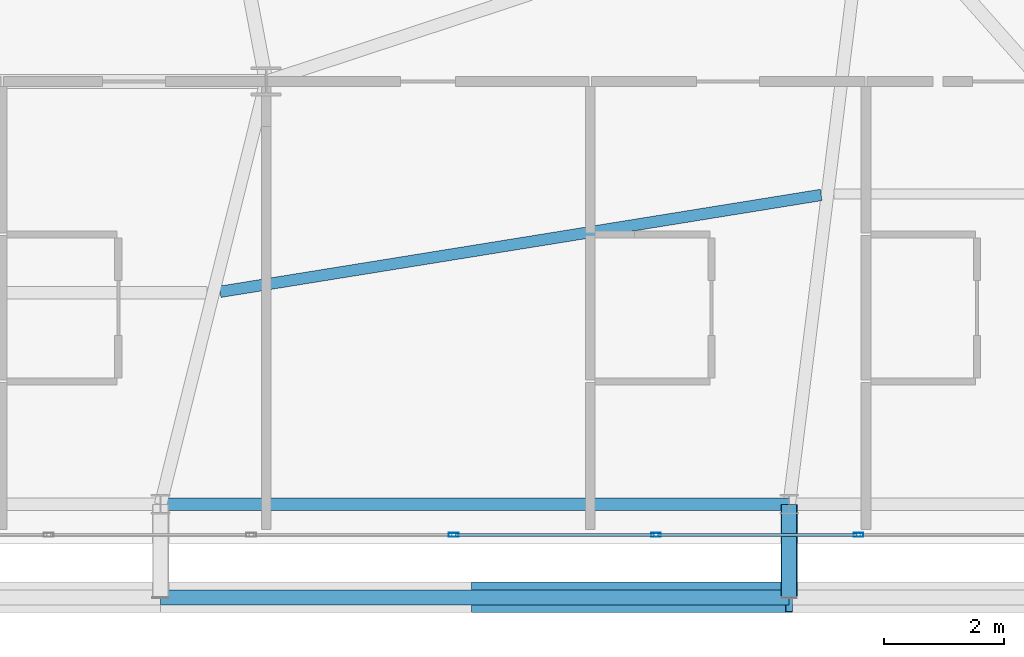
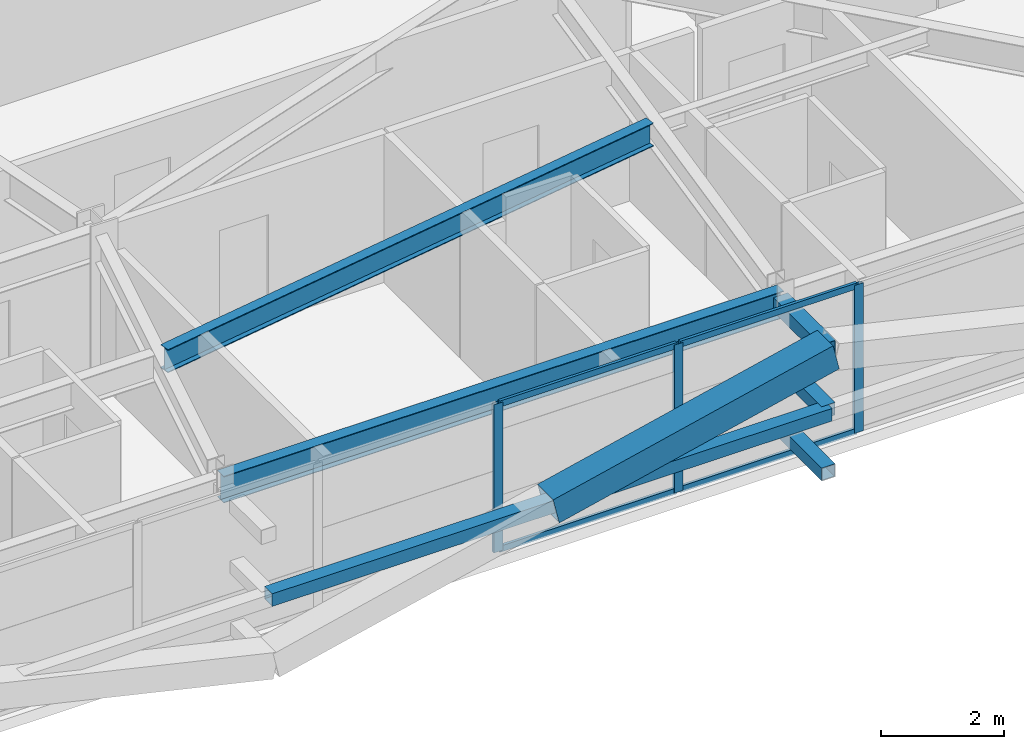
# One storey, part 21 of 59: 12 members, 2 beams, 1 element without a shape of its own.
"""IFC4 building model written with IfcOpenShell, lengths in metres."""

from ifc_helpers import new_model, si_unit, direction, frame, origin, origin_2d, place, context, subcontext, project, spatial, hollow_rectangle, i_section, extrude, source, transform, mapped, material, layer, layer_set, material_profile, profile_set, type_object, element, aggregate, save


model = new_model("IFC4")

# Units and contexts
model_context = context("Model", 3, precision=1e-05, world=origin(), true_north=direction((0.0, 1.0)))
body_context = subcontext(model_context, "Body", "Model", "MODEL_VIEW")
ifc_project = project(units=[si_unit("LENGTHUNIT", "METRE"), si_unit("AREAUNIT", "SQUARE_METRE"), si_unit("VOLUMEUNIT", "CUBIC_METRE"), si_unit("PLANEANGLEUNIT", "RADIAN"), si_unit("MASSUNIT", "GRAM", prefix="KILO")], contexts=[model_context])

# Site, building, storey
site_placement = place(None, origin())
site = spatial("IfcSite", under=ifc_project, at=site_placement, CompositionType="ELEMENT")
building_placement = place(site_placement, origin())
building = spatial("IfcBuilding", under=site, at=building_placement, Name="Taldren Reach Tower", CompositionType="ELEMENT")
storey_placement = place(building_placement, frame((0.0, 0.0, 19.949951171875)))
storey = spatial("IfcBuildingStorey", under=building, at=storey_placement, Name="L05", CompositionType="ELEMENT", Elevation=19.949951171875)

# Beams
ifc_material_1 = material(Name="Steel Gr 350 (350PLUS)", Category="steel")
ifc_material_profile_1 = material_profile(ifc_material_1, i_section(OverallWidth=0.208984375, OverallDepth=0.528076171875, WebThickness=0.009521484375, FlangeThickness=0.01318359375, at=origin_2d()), Name="530UB82.0")
ifc_profile_set_1 = profile_set([ifc_material_profile_1], Name="Steel Gr 350 (350PLUS)")
beam_type_1 = type_object("IfcBeamType", Name="SP-UB530B", PredefinedType="SPANDREL", material=ifc_profile_set_1)
shared_shape_1 = source(origin(), body_context, "Body", "SweptSolid", [
    extrude(i_section(OverallWidth=0.208984375, OverallDepth=0.528076171875, WebThickness=0.009521484375, FlangeThickness=0.01318359375, at=origin_2d()), origin(), (0.0, 0.0, 1.0), 10.47998046875),
])
beam_1_placement = place(storey_placement, frame((40.239990234375, 2.14990234375, 2.666015625), z_axis=(1.0, 0.0, 0.0), x_axis=(0.0, 1.0, 0.0)))
element("IfcBeam", 1, at=beam_1_placement, inside=storey, type_object=beam_type_1, Name="Perimeter spandrel B1 S4-S5 L05", PredefinedType="SPANDREL", context=body_context, shape_type="MappedRepresentation", body=[
    mapped(shared_shape_1, transform((0.0, 0.0, 0.0), scale=1.0)),
])
ifc_material_profile_2 = material_profile(ifc_material_1, i_section(OverallWidth=0.19091796875, OverallDepth=0.4599609375, WebThickness=0.010009765625, FlangeThickness=0.01611328125, at=origin_2d()), Name="460UB82.1")
ifc_profile_set_2 = profile_set([ifc_material_profile_2], Name="Steel Gr 350 (350PLUS)")
beam_type_2 = type_object("IfcBeamType", Name="BM-UB460A", PredefinedType="BEAM", material=ifc_profile_set_2)
shared_shape_2 = source(origin(), body_context, "Body", "SweptSolid", [
    extrude(i_section(OverallWidth=0.19091796875, OverallDepth=0.4599609375, WebThickness=0.010009765625, FlangeThickness=0.01611328125, at=origin_2d()), origin(), (0.0, 0.0, 1.0), 10.1494140625),
])
beam_2_placement = place(storey_placement, frame((41.232177734375, 5.693115234375, 2.699951171875), z_axis=(0.987266967452, 0.159072106224, 0.0), x_axis=(-0.159072106224, 0.987266967452, 0.0)))
element("IfcBeam", 2, at=beam_2_placement, inside=storey, type_object=beam_type_2, Name="Secondary floor beam B1 J4 L05", PredefinedType="BEAM", context=body_context, shape_type="MappedRepresentation", body=[
    mapped(shared_shape_2, transform((0.0, 0.0, 0.0), scale=1.0)),
])

# Members
ifc_material_2 = material(Name="Steel Gr 450 (C450L0)", Category="steel")
ifc_material_profile_3 = material_profile(ifc_material_2, hollow_rectangle(XDim=0.27490234375, YDim=0.27490234375, WallThickness=0.00927734375, at=origin_2d()), Name="275x275x9.3SHS")
ifc_profile_set_3 = profile_set([ifc_material_profile_3], Name="Steel Gr 450 (C450L0)")
member_type_1 = type_object("IfcMemberType", Name="MB-TIE273", PredefinedType="STRUT", material=ifc_profile_set_3)
shared_shape_3 = source(origin(), body_context, "Body", "SweptSolid", [
    extrude(hollow_rectangle(XDim=0.27490234375, YDim=0.27490234375, WallThickness=0.00927734375, at=origin_2d()), origin(), (0.0, 0.0, 1.0), 1.5498046875),
])
member_1_placement = place(storey_placement, frame((50.719970703125, 2.14990234375, 2.650146484375), z_axis=(0.0, -1.0, 0.0), x_axis=(1.0, 0.0, 0.0)))
element("IfcMember", 3, at=member_1_placement, inside=storey, type_object=member_type_1, Name="Exoskeleton diaphragm tie strut B1-S5 L05", PredefinedType="STRUT", context=body_context, shape_type="MappedRepresentation", body=[
    mapped(shared_shape_3, transform((0.0, 0.0, 0.0), scale=1.0)),
])
ifc_material_profile_4 = material_profile(ifc_material_2, hollow_rectangle(XDim=0.510009765625, YDim=0.510009765625, WallThickness=0.02001953125, at=origin_2d()), Name="510x510x20.0SHS")
ifc_profile_set_4 = profile_set([ifc_material_profile_4], Name="Steel Gr 450 (C450L0)")
member_type_2 = type_object("IfcMemberType", Name="MB-EXO508", PredefinedType="BRACE", material=ifc_profile_set_4)
shared_shape_4 = source(origin(), body_context, "Body", "SweptSolid", [
    extrude(hollow_rectangle(XDim=0.510009765625, YDim=0.510009765625, WallThickness=0.02001953125, at=origin_2d()), origin(), (0.0, 0.0, 1.0), 5.37890625),
])
member_2_placement = place(storey_placement, frame((45.47998046875, 0.60009765625, 1.43505859375), z_axis=(0.97415197996, 0.0, 0.225893603143), x_axis=(0.0, 1.0, 0.0)))
element("IfcMember", 4, at=member_2_placement, inside=storey, type_object=member_type_2, Name="Exoskeleton Diagrid Brace B1-S4 L05", PredefinedType="BRACE", context=body_context, shape_type="MappedRepresentation", body=[
    mapped(shared_shape_4, transform((0.0, 0.0, 0.0), scale=1.0)),
])
ifc_material_3 = material(Name="Steel Gr 350 (C350L0)", Category="steel")
ifc_material_profile_5 = material_profile(ifc_material_3, hollow_rectangle(XDim=0.25, YDim=0.25, WallThickness=0.010009765625, at=origin_2d()), Name="250x250x10.0SHS")
ifc_profile_set_5 = profile_set([ifc_material_profile_5], Name="Steel Gr 350 (C350L0)")
member_type_3 = type_object("IfcMemberType", Name="MB-POST250", PredefinedType="POST", material=ifc_profile_set_5)
shared_shape_5 = source(origin(), body_context, "Body", "SweptSolid", [
    extrude(hollow_rectangle(XDim=0.25, YDim=0.25, WallThickness=0.010009765625, at=origin_2d()), origin(), (0.0, 0.0, 1.0), 10.47998046875),
])
member_3_placement = place(storey_placement, frame((40.239990234375, 0.60009765625, 1.43505859375), z_axis=(1.0, 0.0, 0.0), x_axis=(0.0, 1.0, 0.0)))
element("IfcMember", 5, at=member_3_placement, inside=storey, type_object=member_type_3, Name="Exoskeleton mid-height ring chord B1-S4 L05", PredefinedType="POST", context=body_context, shape_type="MappedRepresentation", body=[
    mapped(shared_shape_5, transform((0.0, 0.0, 0.0), scale=1.0)),
])
shared_shape_6 = source(origin(), body_context, "Body", "SweptSolid", [
    extrude(hollow_rectangle(XDim=0.25, YDim=0.25, WallThickness=0.010009765625, at=origin_2d()), origin(), (0.0, 0.0, 1.0), 1.5498046875),
])
for number, where, z_axis, x_axis, name in (
    (6, (50.719970703125, 2.14990234375, 0.219970703125), (0.0, -1.0, 0.0), (1.0, 0.0, 0.0), "Exoskeleton base diaphragm tie strut B1-S5 L05"),
    (7, (50.719970703125, 2.14990234375, 1.43505859375), (0.0, -1.0, 0.0), (1.0, 0.0, 0.0), "Exoskeleton mid-tier diaphragm tie B1-S5 L05"),
):
    element("IfcMember", number, at=place(storey_placement, frame(where, z_axis=z_axis, x_axis=x_axis)), inside=storey, type_object=member_type_3, Name=name, PredefinedType="POST", context=body_context, shape_type="MappedRepresentation", body=[
        mapped(shared_shape_6, transform((0.0, 0.0, 0.0), scale=1.0)),
    ])

# Curtain wall, members
ifc_material_4 = material(Name="Aluminium and Low-E Glass Unitised System", Category="aluminium")
ifc_layer = layer(ifc_material_4, 0.159912109375)
ifc_layer_set = layer_set([ifc_layer], Name="Aluminium and Low-E Glass Unitised System")
curtain_wall_type = type_object("IfcCurtainWallType", Name="CW-SYS-2", PredefinedType="NOTDEFINED", material=ifc_layer_set)
curtain_wall_placement = place(storey_placement, origin())
curtain_wall = element("IfcCurtainWall", 8, at=curtain_wall_placement, inside=storey, type_object=curtain_wall_type, Name="Unitised curtain wall CW-L05-S", PredefinedType="NOTDEFINED")
ifc_material_5 = material(Name="Anodised Aluminium 6063-T6", Category="aluminium")
ifc_material_profile_6 = material_profile(ifc_material_5, hollow_rectangle(XDim=0.06494140625, YDim=0.1650390625, WallThickness=0.00390625, at=origin_2d()), Name="ALU-165x65x4RHS")
ifc_profile_set_6 = profile_set([ifc_material_profile_6], Name="Anodised Aluminium 6063-T6")
member_type_4 = type_object("IfcMemberType", Name="CW-MUL-165", PredefinedType="MULLION", material=ifc_profile_set_6)
shared_shape_7 = source(origin(), body_context, "Body", "SweptSolid", [
    extrude(hollow_rectangle(XDim=0.06494140625, YDim=0.1650390625, WallThickness=0.00390625, at=origin_2d()), origin(), (0.0, 0.0, 1.0), 2.929931640625),
])
member_4_placement = place(storey_placement, frame((45.125, 1.639892578125, 0.0), z_axis=(0.0, 0.0, 1.0), x_axis=(0.0, 1.0, 0.0)))
member_4 = element("IfcMember", 9, at=member_4_placement, type_object=member_type_4, Name="CW-2 mullion 12", PredefinedType="MULLION", context=body_context, shape_type="MappedRepresentation", body=[
    mapped(shared_shape_7, transform((0.0, 0.0, 0.0), scale=1.0)),
])
member_5_placement = place(storey_placement, frame((48.5, 1.639892578125, 0.0), z_axis=(0.0, 0.0, 1.0), x_axis=(0.0, 1.0, 0.0)))
member_5 = element("IfcMember", 10, at=member_5_placement, type_object=member_type_4, Name="CW-2 mullion 13", PredefinedType="MULLION", context=body_context, shape_type="MappedRepresentation", body=[
    mapped(shared_shape_7, transform((0.0, 0.0, 0.0), scale=1.0)),
])
member_6_placement = place(storey_placement, frame((51.875, 1.639892578125, 0.0), z_axis=(0.0, 0.0, 1.0), x_axis=(0.0, 1.0, 0.0)))
member_6 = element("IfcMember", 11, at=member_6_placement, type_object=member_type_4, Name="CW-2 mullion 14", PredefinedType="MULLION", context=body_context, shape_type="MappedRepresentation", body=[
    mapped(shared_shape_7, transform((0.0, 0.0, 0.0), scale=1.0)),
])
ifc_material_profile_7 = material_profile(ifc_material_5, hollow_rectangle(XDim=0.054931640625, YDim=0.1201171875, WallThickness=0.0029296875, at=origin_2d()), Name="ALU-120x55x3RHS")
ifc_profile_set_7 = profile_set([ifc_material_profile_7], Name="Anodised Aluminium 6063-T6")
member_type_5 = type_object("IfcMemberType", Name="CW-TRN-135", PredefinedType="USERDEFINED", material=ifc_profile_set_7)
shared_shape_8 = source(origin(), body_context, "Body", "SweptSolid", [
    extrude(hollow_rectangle(XDim=0.054931640625, YDim=0.1201171875, WallThickness=0.0029296875, at=origin_2d()), origin(), (0.0, 0.0, 1.0), 3.31005859375),
])
member_7_placement = place(storey_placement, frame((45.157470703125, 1.639892578125, 0.027587890625), z_axis=(1.0, 0.0, 0.0), x_axis=(0.0, 1.0, 0.0)))
member_7 = element("IfcMember", 12, at=member_7_placement, type_object=member_type_5, Name="CW-2 transom 12.1", ObjectType="TRANSOM", PredefinedType="USERDEFINED", context=body_context, shape_type="MappedRepresentation", body=[
    mapped(shared_shape_8, transform((0.0, 0.0, 0.0), scale=1.0)),
])
member_8_placement = place(storey_placement, frame((45.157470703125, 1.639892578125, 2.902587890625), z_axis=(1.0, 0.0, 0.0), x_axis=(0.0, 1.0, 0.0)))
member_8 = element("IfcMember", 13, at=member_8_placement, type_object=member_type_5, Name="CW-2 transom 12.2", ObjectType="TRANSOM", PredefinedType="USERDEFINED", context=body_context, shape_type="MappedRepresentation", body=[
    mapped(shared_shape_8, transform((0.0, 0.0, 0.0), scale=1.0)),
])
member_9_placement = place(storey_placement, frame((48.532470703125, 1.639892578125, 0.027587890625), z_axis=(1.0, 0.0, 0.0), x_axis=(0.0, 1.0, 0.0)))
member_9 = element("IfcMember", 14, at=member_9_placement, type_object=member_type_5, Name="CW-2 transom 13.1", ObjectType="TRANSOM", PredefinedType="USERDEFINED", context=body_context, shape_type="MappedRepresentation", body=[
    mapped(shared_shape_8, transform((0.0, 0.0, 0.0), scale=1.0)),
])
member_10_placement = place(storey_placement, frame((48.532470703125, 1.639892578125, 2.902587890625), z_axis=(1.0, 0.0, 0.0), x_axis=(0.0, 1.0, 0.0)))
member_10 = element("IfcMember", 15, at=member_10_placement, type_object=member_type_5, Name="CW-2 transom 13.2", ObjectType="TRANSOM", PredefinedType="USERDEFINED", context=body_context, shape_type="MappedRepresentation", body=[
    mapped(shared_shape_8, transform((0.0, 0.0, 0.0), scale=1.0)),
])
aggregate(curtain_wall, [member_4, member_5, member_6, member_7, member_8, member_9, member_10])

save(model, "model.ifc")
